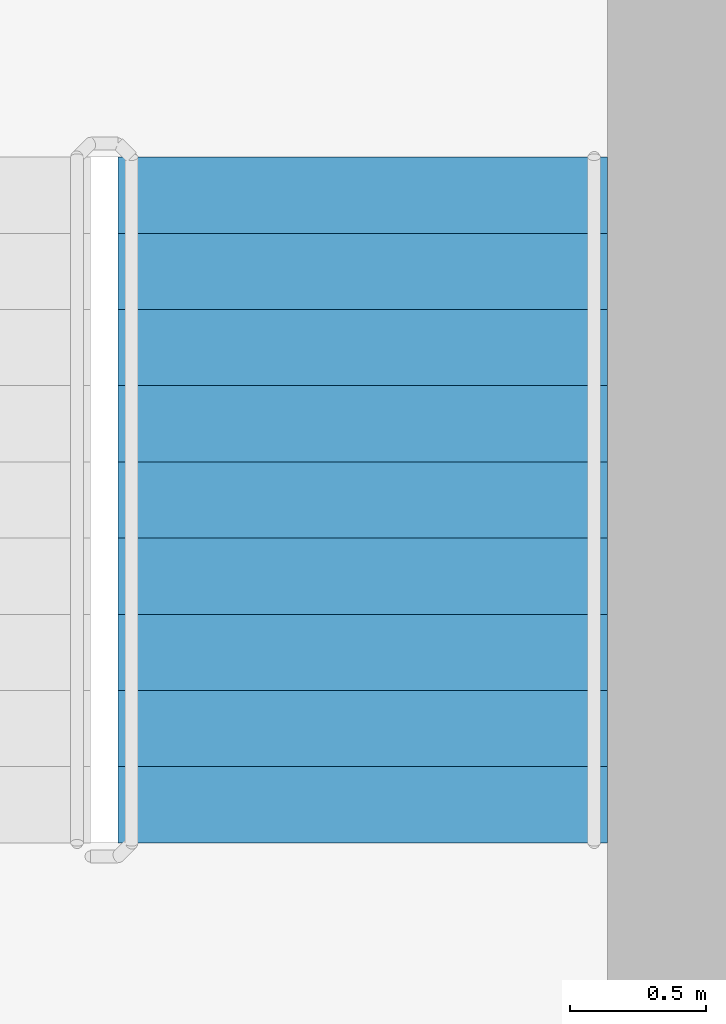
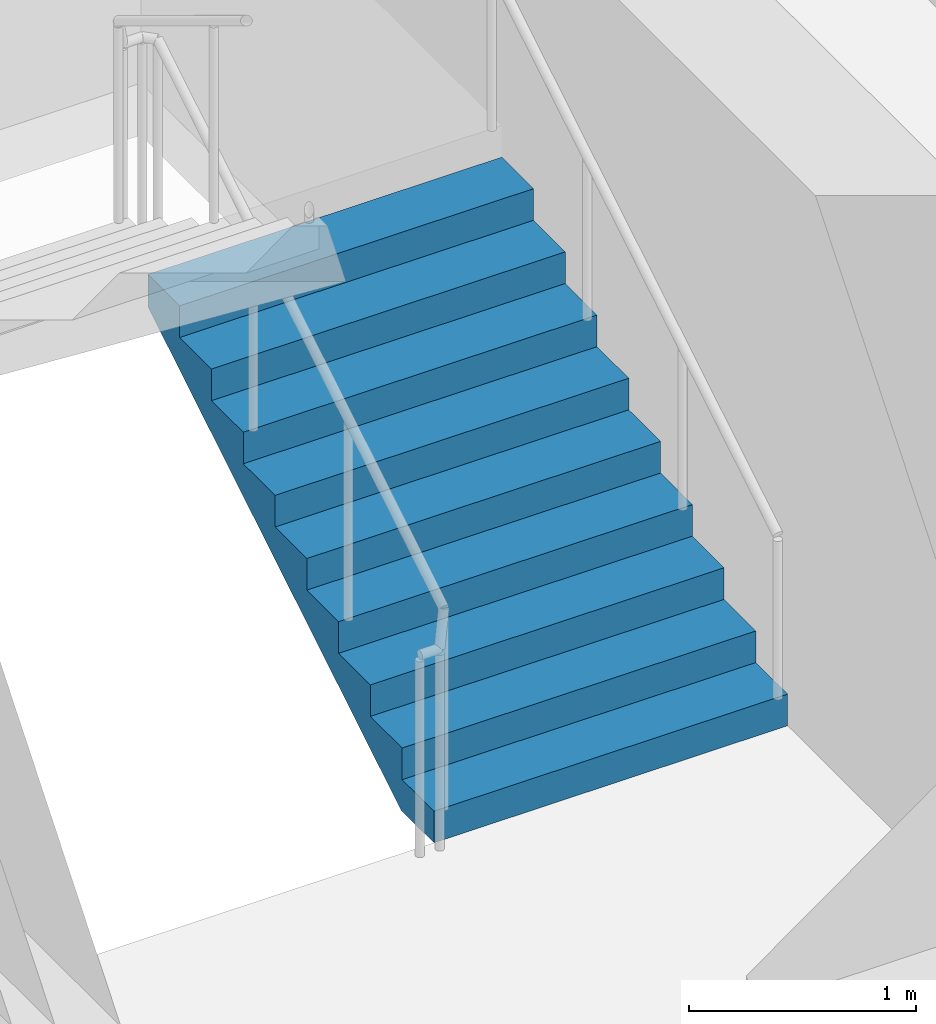
# One storey, part 10 of 13: 1 stair flight, 1 element without a shape of its own.
"""IFC4 building model written with IfcOpenShell, lengths in metres."""

from ifc_helpers import new_model, si_unit, direction, frame, origin, place, context, subcontext, project, spatial, triangles, source, transform, mapped, material, type_object, element, aggregate, save


model = new_model("IFC4")

# Units and contexts
model_context = context("Model", 3, precision=1e-05, world=origin(), true_north=direction((0.0, 1.0)))
body_context = subcontext(model_context, "Body", "Model", "MODEL_VIEW")
ifc_project = project(units=[si_unit("LENGTHUNIT", "METRE"), si_unit("AREAUNIT", "SQUARE_METRE"), si_unit("VOLUMEUNIT", "CUBIC_METRE"), si_unit("PLANEANGLEUNIT", "RADIAN"), si_unit("MASSUNIT", "GRAM", prefix="KILO")], contexts=[model_context])

# Site, building, storey
site_placement = place(None, origin())
site = spatial("IfcSite", under=ifc_project, at=site_placement, CompositionType="ELEMENT")
building_placement = place(site_placement, origin())
building = spatial("IfcBuilding", under=site, at=building_placement, Name="Kilnfold Tower and Market Hall", CompositionType="ELEMENT")
storey_placement = place(building_placement, frame((0.0, 0.0, 287.39990234375)))
storey = spatial("IfcBuildingStorey", under=building, at=storey_placement, Name="L71", CompositionType="ELEMENT", Elevation=287.39990234375)

# Stair, stair flight
ifc_material_1 = material(Name="Concrete C40/50", Category="concrete")
stair_type = type_object("IfcStairType", Name="CORE STAIR 1800", PredefinedType="HALF_TURN_STAIR", material=ifc_material_1)
stair_placement = place(storey_placement, origin())
stair = element("IfcStair", 1, at=stair_placement, inside=storey, type_object=stair_type, Name="L71 ST2", PredefinedType="HALF_TURN_STAIR")
ifc_material_2 = material(Name="Concrete C40/50", Category="concrete")
stair_flight_type = type_object("IfcStairFlightType", Name="CORE STAIR FLIGHT 1800", PredefinedType="STRAIGHT", material=ifc_material_2)
shared_shape = source(origin(), body_context, "Body", "Tessellation", [
    triangles([(0.0, 0.89990234375, 0.0), (0.0, 0.78759765625, 0.0), (0.0, 0.675048828125, 0.0), (0.0, 0.5625, 0.0), (0.0, 0.449951171875, 0.0), (0.0, 0.33740234375, 0.0), (0.0, 0.22509765625, 0.0), (0.0, 0.112548828125, 0.0), (0.0, 0.0, 0.0), (0.0, -0.112548828125, 0.0), (0.0, -0.22509765625, 0.0), (0.0, -0.33740234375, 0.0), (0.0, -0.449951171875, 0.0), (0.0, -0.5625, 0.0), (0.0, -0.675048828125, 0.0), (0.0, -0.78759765625, 0.0), (0.0, -0.89990234375, 0.0), (0.0, 0.89990234375, 0.169921875), (0.0, 0.78759765625, 0.169921875), (0.0, 0.675048828125, 0.169921875), (0.0, 0.5625, 0.169921875), (0.0, 0.449951171875, 0.169921875), (0.0, 0.33740234375, 0.169921875), (0.0, 0.22509765625, 0.169921875), (0.0, 0.112548828125, 0.169921875), (0.0, 0.0, 0.169921875), (0.0, -0.112548828125, 0.169921875), (0.0, -0.22509765625, 0.169921875), (0.0, -0.33740234375, 0.169921875), (0.0, -0.449951171875, 0.169921875), (0.0, -0.5625, 0.169921875), (0.0, -0.675048828125, 0.169921875), (0.0, -0.78759765625, 0.169921875), (0.0, -0.89990234375, 0.169921875), (0.280029296875, 0.89990234375, 0.169921875), (0.280029296875, 0.78759765625, 0.169921875), (0.280029296875, 0.675048828125, 0.169921875), (0.280029296875, 0.5625, 0.169921875), (0.280029296875, 0.449951171875, 0.169921875), (0.280029296875, 0.33740234375, 0.169921875), (0.280029296875, 0.22509765625, 0.169921875), (0.280029296875, 0.112548828125, 0.169921875), (0.280029296875, 0.0, 0.169921875), (0.280029296875, -0.112548828125, 0.169921875), (0.280029296875, -0.22509765625, 0.169921875), (0.280029296875, -0.33740234375, 0.169921875), (0.280029296875, -0.449951171875, 0.169921875), (0.280029296875, -0.5625, 0.169921875), (0.280029296875, -0.675048828125, 0.169921875), (0.280029296875, -0.78759765625, 0.169921875), (0.280029296875, -0.89990234375, 0.169921875), (0.280029296875, 0.89990234375, 0.340087890625), (0.280029296875, 0.78759765625, 0.340087890625), (0.280029296875, 0.675048828125, 0.340087890625), (0.280029296875, 0.5625, 0.340087890625), (0.280029296875, 0.449951171875, 0.340087890625), (0.280029296875, 0.33740234375, 0.340087890625), (0.280029296875, 0.22509765625, 0.340087890625), (0.280029296875, 0.112548828125, 0.340087890625), (0.280029296875, 0.0, 0.340087890625), (0.280029296875, -0.112548828125, 0.340087890625), (0.280029296875, -0.22509765625, 0.340087890625), (0.280029296875, -0.33740234375, 0.340087890625), (0.280029296875, -0.449951171875, 0.340087890625), (0.280029296875, -0.5625, 0.340087890625), (0.280029296875, -0.675048828125, 0.340087890625), (0.280029296875, -0.78759765625, 0.340087890625), (0.280029296875, -0.89990234375, 0.340087890625), (0.56005859375, 0.89990234375, 0.340087890625), (0.56005859375, 0.78759765625, 0.340087890625), (0.56005859375, 0.675048828125, 0.340087890625), (0.56005859375, 0.5625, 0.340087890625), (0.56005859375, 0.449951171875, 0.340087890625), (0.56005859375, 0.33740234375, 0.340087890625), (0.56005859375, 0.22509765625, 0.340087890625), (0.56005859375, 0.112548828125, 0.340087890625), (0.56005859375, 0.0, 0.340087890625), (0.56005859375, -0.112548828125, 0.340087890625), (0.56005859375, -0.22509765625, 0.340087890625), (0.56005859375, -0.33740234375, 0.340087890625), (0.56005859375, -0.449951171875, 0.340087890625), (0.56005859375, -0.5625, 0.340087890625), (0.56005859375, -0.675048828125, 0.340087890625), (0.56005859375, -0.78759765625, 0.340087890625), (0.56005859375, -0.89990234375, 0.340087890625), (0.56005859375, 0.89990234375, 0.510009765625), (0.56005859375, 0.78759765625, 0.510009765625), (0.56005859375, 0.675048828125, 0.510009765625), (0.56005859375, 0.5625, 0.510009765625), (0.56005859375, 0.449951171875, 0.510009765625), (0.56005859375, 0.33740234375, 0.510009765625), (0.56005859375, 0.22509765625, 0.510009765625), (0.56005859375, 0.112548828125, 0.510009765625), (0.56005859375, 0.0, 0.510009765625), (0.56005859375, -0.112548828125, 0.510009765625), (0.56005859375, -0.22509765625, 0.510009765625), (0.56005859375, -0.33740234375, 0.510009765625), (0.56005859375, -0.449951171875, 0.510009765625), (0.56005859375, -0.5625, 0.510009765625), (0.56005859375, -0.675048828125, 0.510009765625), (0.56005859375, -0.78759765625, 0.510009765625), (0.56005859375, -0.89990234375, 0.510009765625), (0.840087890625, 0.89990234375, 0.510009765625), (0.840087890625, 0.78759765625, 0.510009765625), (0.840087890625, 0.675048828125, 0.510009765625), (0.840087890625, 0.5625, 0.510009765625), (0.840087890625, 0.449951171875, 0.510009765625), (0.840087890625, 0.33740234375, 0.510009765625), (0.840087890625, 0.22509765625, 0.510009765625), (0.840087890625, 0.112548828125, 0.510009765625), (0.840087890625, 0.0, 0.510009765625), (0.840087890625, -0.112548828125, 0.510009765625), (0.840087890625, -0.22509765625, 0.510009765625), (0.840087890625, -0.33740234375, 0.510009765625), (0.840087890625, -0.449951171875, 0.510009765625), (0.840087890625, -0.5625, 0.510009765625), (0.840087890625, -0.675048828125, 0.510009765625), (0.840087890625, -0.78759765625, 0.510009765625), (0.840087890625, -0.89990234375, 0.510009765625), (0.840087890625, 0.89990234375, 0.679931640625), (0.840087890625, 0.78759765625, 0.679931640625), (0.840087890625, 0.675048828125, 0.679931640625), (0.840087890625, 0.5625, 0.679931640625), (0.840087890625, 0.449951171875, 0.679931640625), (0.840087890625, 0.33740234375, 0.679931640625), (0.840087890625, 0.22509765625, 0.679931640625), (0.840087890625, 0.112548828125, 0.679931640625), (0.840087890625, 0.0, 0.679931640625), (0.840087890625, -0.112548828125, 0.679931640625), (0.840087890625, -0.22509765625, 0.679931640625), (0.840087890625, -0.33740234375, 0.679931640625), (0.840087890625, -0.449951171875, 0.679931640625), (0.840087890625, -0.5625, 0.679931640625), (0.840087890625, -0.675048828125, 0.679931640625), (0.840087890625, -0.78759765625, 0.679931640625), (0.840087890625, -0.89990234375, 0.679931640625), (1.1201171875, 0.89990234375, 0.679931640625), (1.1201171875, 0.78759765625, 0.679931640625), (1.1201171875, 0.675048828125, 0.679931640625), (1.1201171875, 0.5625, 0.679931640625), (1.1201171875, 0.449951171875, 0.679931640625), (1.1201171875, 0.33740234375, 0.679931640625), (1.1201171875, 0.22509765625, 0.679931640625), (1.1201171875, 0.112548828125, 0.679931640625), (1.1201171875, 0.0, 0.679931640625), (1.1201171875, -0.112548828125, 0.679931640625), (1.1201171875, -0.22509765625, 0.679931640625), (1.1201171875, -0.33740234375, 0.679931640625), (1.1201171875, -0.449951171875, 0.679931640625), (1.1201171875, -0.5625, 0.679931640625), (1.1201171875, -0.675048828125, 0.679931640625), (1.1201171875, -0.78759765625, 0.679931640625), (1.1201171875, -0.89990234375, 0.679931640625), (1.1201171875, 0.89990234375, 0.85009765625), (1.1201171875, 0.78759765625, 0.85009765625), (1.1201171875, 0.675048828125, 0.85009765625), (1.1201171875, 0.5625, 0.85009765625), (1.1201171875, 0.449951171875, 0.85009765625), (1.1201171875, 0.33740234375, 0.85009765625), (1.1201171875, 0.22509765625, 0.85009765625), (1.1201171875, 0.112548828125, 0.85009765625), (1.1201171875, 0.0, 0.85009765625), (1.1201171875, -0.112548828125, 0.85009765625), (1.1201171875, -0.22509765625, 0.85009765625), (1.1201171875, -0.33740234375, 0.85009765625), (1.1201171875, -0.449951171875, 0.85009765625), (1.1201171875, -0.5625, 0.85009765625), (1.1201171875, -0.675048828125, 0.85009765625), (1.1201171875, -0.78759765625, 0.85009765625), (1.1201171875, -0.89990234375, 0.85009765625), (1.39990234375, 0.89990234375, 0.85009765625), (1.39990234375, 0.78759765625, 0.85009765625), (1.39990234375, 0.675048828125, 0.85009765625), (1.39990234375, 0.5625, 0.85009765625), (1.39990234375, 0.449951171875, 0.85009765625), (1.39990234375, 0.33740234375, 0.85009765625), (1.39990234375, 0.22509765625, 0.85009765625), (1.39990234375, 0.112548828125, 0.85009765625), (1.39990234375, 0.0, 0.85009765625), (1.39990234375, -0.112548828125, 0.85009765625), (1.39990234375, -0.22509765625, 0.85009765625), (1.39990234375, -0.33740234375, 0.85009765625), (1.39990234375, -0.449951171875, 0.85009765625), (1.39990234375, -0.5625, 0.85009765625), (1.39990234375, -0.675048828125, 0.85009765625), (1.39990234375, -0.78759765625, 0.85009765625), (1.39990234375, -0.89990234375, 0.85009765625), (1.39990234375, 0.89990234375, 1.02001953125), (1.39990234375, 0.78759765625, 1.02001953125), (1.39990234375, 0.675048828125, 1.02001953125), (1.39990234375, 0.5625, 1.02001953125), (1.39990234375, 0.449951171875, 1.02001953125), (1.39990234375, 0.33740234375, 1.02001953125), (1.39990234375, 0.22509765625, 1.02001953125), (1.39990234375, 0.112548828125, 1.02001953125), (1.39990234375, 0.0, 1.02001953125), (1.39990234375, -0.112548828125, 1.02001953125), (1.39990234375, -0.22509765625, 1.02001953125), (1.39990234375, -0.33740234375, 1.02001953125), (1.39990234375, -0.449951171875, 1.02001953125), (1.39990234375, -0.5625, 1.02001953125), (1.39990234375, -0.675048828125, 1.02001953125), (1.39990234375, -0.78759765625, 1.02001953125), (1.39990234375, -0.89990234375, 1.02001953125), (1.679931640625, 0.89990234375, 1.02001953125), (1.679931640625, 0.78759765625, 1.02001953125), (1.679931640625, 0.675048828125, 1.02001953125), (1.679931640625, 0.5625, 1.02001953125), (1.679931640625, 0.449951171875, 1.02001953125), (1.679931640625, 0.33740234375, 1.02001953125), (1.679931640625, 0.22509765625, 1.02001953125), (1.679931640625, 0.112548828125, 1.02001953125), (1.679931640625, 0.0, 1.02001953125), (1.679931640625, -0.112548828125, 1.02001953125), (1.679931640625, -0.22509765625, 1.02001953125), (1.679931640625, -0.33740234375, 1.02001953125), (1.679931640625, -0.449951171875, 1.02001953125), (1.679931640625, -0.5625, 1.02001953125), (1.679931640625, -0.675048828125, 1.02001953125), (1.679931640625, -0.78759765625, 1.02001953125), (1.679931640625, -0.89990234375, 1.02001953125), (1.679931640625, 0.89990234375, 1.18994140625), (1.679931640625, 0.78759765625, 1.18994140625), (1.679931640625, 0.675048828125, 1.18994140625), (1.679931640625, 0.5625, 1.18994140625), (1.679931640625, 0.449951171875, 1.18994140625), (1.679931640625, 0.33740234375, 1.18994140625), (1.679931640625, 0.22509765625, 1.18994140625), (1.679931640625, 0.112548828125, 1.18994140625), (1.679931640625, 0.0, 1.18994140625), (1.679931640625, -0.112548828125, 1.18994140625), (1.679931640625, -0.22509765625, 1.18994140625), (1.679931640625, -0.33740234375, 1.18994140625), (1.679931640625, -0.449951171875, 1.18994140625), (1.679931640625, -0.5625, 1.18994140625), (1.679931640625, -0.675048828125, 1.18994140625), (1.679931640625, -0.78759765625, 1.18994140625), (1.679931640625, -0.89990234375, 1.18994140625), (1.9599609375, 0.89990234375, 1.18994140625), (1.9599609375, 0.78759765625, 1.18994140625), (1.9599609375, 0.675048828125, 1.18994140625), (1.9599609375, 0.5625, 1.18994140625), (1.9599609375, 0.449951171875, 1.18994140625), (1.9599609375, 0.33740234375, 1.18994140625), (1.9599609375, 0.22509765625, 1.18994140625), (1.9599609375, 0.112548828125, 1.18994140625), (1.9599609375, 0.0, 1.18994140625), (1.9599609375, -0.112548828125, 1.18994140625), (1.9599609375, -0.22509765625, 1.18994140625), (1.9599609375, -0.33740234375, 1.18994140625), (1.9599609375, -0.449951171875, 1.18994140625), (1.9599609375, -0.5625, 1.18994140625), (1.9599609375, -0.675048828125, 1.18994140625), (1.9599609375, -0.78759765625, 1.18994140625), (1.9599609375, -0.89990234375, 1.18994140625), (1.9599609375, 0.89990234375, 1.360107421875), (1.9599609375, 0.78759765625, 1.360107421875), (1.9599609375, 0.675048828125, 1.360107421875), (1.9599609375, 0.5625, 1.360107421875), (1.9599609375, 0.449951171875, 1.360107421875), (1.9599609375, 0.33740234375, 1.360107421875), (1.9599609375, 0.22509765625, 1.360107421875), (1.9599609375, 0.112548828125, 1.360107421875), (1.9599609375, 0.0, 1.360107421875), (1.9599609375, -0.112548828125, 1.360107421875), (1.9599609375, -0.22509765625, 1.360107421875), (1.9599609375, -0.33740234375, 1.360107421875), (1.9599609375, -0.449951171875, 1.360107421875), (1.9599609375, -0.5625, 1.360107421875), (1.9599609375, -0.675048828125, 1.360107421875), (1.9599609375, -0.78759765625, 1.360107421875), (1.9599609375, -0.89990234375, 1.360107421875), (2.239990234375, 0.89990234375, 1.360107421875), (2.239990234375, 0.78759765625, 1.360107421875), (2.239990234375, 0.675048828125, 1.360107421875), (2.239990234375, 0.5625, 1.360107421875), (2.239990234375, 0.449951171875, 1.360107421875), (2.239990234375, 0.33740234375, 1.360107421875), (2.239990234375, 0.22509765625, 1.360107421875), (2.239990234375, 0.112548828125, 1.360107421875), (2.239990234375, 0.0, 1.360107421875), (2.239990234375, -0.112548828125, 1.360107421875), (2.239990234375, -0.22509765625, 1.360107421875), (2.239990234375, -0.33740234375, 1.360107421875), (2.239990234375, -0.449951171875, 1.360107421875), (2.239990234375, -0.5625, 1.360107421875), (2.239990234375, -0.675048828125, 1.360107421875), (2.239990234375, -0.78759765625, 1.360107421875), (2.239990234375, -0.89990234375, 1.360107421875), (2.239990234375, 0.89990234375, 1.530029296875), (2.239990234375, 0.78759765625, 1.530029296875), (2.239990234375, 0.675048828125, 1.530029296875), (2.239990234375, 0.5625, 1.530029296875), (2.239990234375, 0.449951171875, 1.530029296875), (2.239990234375, 0.33740234375, 1.530029296875), (2.239990234375, 0.22509765625, 1.530029296875), (2.239990234375, 0.112548828125, 1.530029296875), (2.239990234375, 0.0, 1.530029296875), (2.239990234375, -0.112548828125, 1.530029296875), (2.239990234375, -0.22509765625, 1.530029296875), (2.239990234375, -0.33740234375, 1.530029296875), (2.239990234375, -0.449951171875, 1.530029296875), (2.239990234375, -0.5625, 1.530029296875), (2.239990234375, -0.675048828125, 1.530029296875), (2.239990234375, -0.78759765625, 1.530029296875), (2.239990234375, -0.89990234375, 1.530029296875), (2.52001953125, 0.89990234375, 1.530029296875), (2.52001953125, 0.78759765625, 1.530029296875), (2.52001953125, 0.675048828125, 1.530029296875), (2.52001953125, 0.5625, 1.530029296875), (2.52001953125, 0.449951171875, 1.530029296875), (2.52001953125, 0.33740234375, 1.530029296875), (2.52001953125, 0.22509765625, 1.530029296875), (2.52001953125, 0.112548828125, 1.530029296875), (2.52001953125, 0.0, 1.530029296875), (2.52001953125, -0.112548828125, 1.530029296875), (2.52001953125, -0.22509765625, 1.530029296875), (2.52001953125, -0.33740234375, 1.530029296875), (2.52001953125, -0.449951171875, 1.530029296875), (2.52001953125, -0.5625, 1.530029296875), (2.52001953125, -0.675048828125, 1.530029296875), (2.52001953125, -0.78759765625, 1.530029296875), (2.52001953125, -0.89990234375, 1.530029296875), (2.52001953125, 0.89990234375, 1.354736328125), (2.52001953125, 0.78759765625, 1.354736328125), (2.52001953125, 0.675048828125, 1.354736328125), (2.52001953125, 0.5625, 1.354736328125), (2.52001953125, 0.449951171875, 1.354736328125), (2.52001953125, 0.33740234375, 1.354736328125), (2.52001953125, 0.22509765625, 1.354736328125), (2.52001953125, 0.112548828125, 1.354736328125), (2.52001953125, 0.0, 1.354736328125), (2.52001953125, -0.112548828125, 1.354736328125), (2.52001953125, -0.22509765625, 1.354736328125), (2.52001953125, -0.33740234375, 1.354736328125), (2.52001953125, -0.449951171875, 1.354736328125), (2.52001953125, -0.5625, 1.354736328125), (2.52001953125, -0.675048828125, 1.354736328125), (2.52001953125, -0.78759765625, 1.354736328125), (2.52001953125, -0.89990234375, 1.354736328125), (0.288818359375, 0.89990234375, 0.0), (0.288818359375, 0.78759765625, 0.0), (0.288818359375, 0.675048828125, 0.0), (0.288818359375, 0.5625, 0.0), (0.288818359375, 0.449951171875, 0.0), (0.288818359375, 0.33740234375, 0.0), (0.288818359375, 0.22509765625, 0.0), (0.288818359375, 0.112548828125, 0.0), (0.288818359375, 0.0, 0.0), (0.288818359375, -0.112548828125, 0.0), (0.288818359375, -0.22509765625, 0.0), (0.288818359375, -0.33740234375, 0.0), (0.288818359375, -0.449951171875, 0.0), (0.288818359375, -0.5625, 0.0), (0.288818359375, -0.675048828125, 0.0), (0.288818359375, -0.78759765625, 0.0), (0.288818359375, -0.89990234375, 0.0)], [[1, 324, 341], [17, 357, 340], [324, 290, 307], [340, 323, 306], [324, 273, 290], [340, 306, 289], [324, 256, 273], [340, 289, 272], [324, 239, 256], [340, 272, 255], [239, 205, 222], [255, 238, 221], [324, 205, 239], [340, 255, 221], [205, 171, 188], [221, 204, 187], [324, 171, 205], [340, 221, 187], [171, 137, 154], [187, 170, 153], [324, 137, 171], [340, 187, 153], [137, 103, 120], [153, 136, 119], [324, 103, 137], [340, 153, 119], [103, 69, 86], [119, 102, 85], [324, 69, 103], [340, 119, 85], [69, 35, 52], [85, 68, 51], [324, 35, 69], [340, 85, 51], [1, 35, 324], [17, 340, 51], [35, 1, 18], [51, 34, 17], [1, 19, 18], [1, 2, 19], [2, 20, 19], [2, 3, 20], [3, 21, 20], [3, 4, 21], [4, 22, 21], [4, 5, 22], [5, 23, 22], [5, 6, 23], [6, 24, 23], [6, 7, 24], [7, 25, 24], [7, 8, 25], [8, 26, 25], [8, 9, 26], [9, 27, 26], [9, 10, 27], [10, 28, 27], [10, 11, 28], [11, 29, 28], [11, 12, 29], [12, 30, 29], [12, 13, 30], [13, 31, 30], [13, 14, 31], [14, 32, 31], [14, 15, 32], [15, 33, 32], [15, 16, 33], [16, 34, 33], [16, 17, 34], [18, 36, 35], [18, 19, 36], [19, 37, 36], [19, 20, 37], [20, 38, 37], [20, 21, 38], [21, 39, 38], [21, 22, 39], [22, 40, 39], [22, 23, 40], [23, 41, 40], [23, 24, 41], [24, 42, 41], [24, 25, 42], [25, 43, 42], [25, 26, 43], [26, 44, 43], [26, 27, 44], [27, 45, 44], [27, 28, 45], [28, 46, 45], [28, 29, 46], [29, 47, 46], [29, 30, 47], [30, 48, 47], [30, 31, 48], [31, 49, 48], [31, 32, 49], [32, 50, 49], [32, 33, 50], [33, 51, 50], [33, 34, 51], [35, 53, 52], [35, 36, 53], [36, 54, 53], [36, 37, 54], [37, 55, 54], [37, 38, 55], [38, 56, 55], [38, 39, 56], [39, 57, 56], [39, 40, 57], [40, 58, 57], [40, 41, 58], [41, 59, 58], [41, 42, 59], [42, 60, 59], [42, 43, 60], [43, 61, 60], [43, 44, 61], [44, 62, 61], [44, 45, 62], [45, 63, 62], [45, 46, 63], [46, 64, 63], [46, 47, 64], [47, 65, 64], [47, 48, 65], [48, 66, 65], [48, 49, 66], [49, 67, 66], [49, 50, 67], [50, 68, 67], [50, 51, 68], [52, 70, 69], [52, 53, 70], [53, 71, 70], [53, 54, 71], [54, 72, 71], [54, 55, 72], [55, 73, 72], [55, 56, 73], [56, 74, 73], [56, 57, 74], [57, 75, 74], [57, 58, 75], [58, 76, 75], [58, 59, 76], [59, 77, 76], [59, 60, 77], [60, 78, 77], [60, 61, 78], [61, 79, 78], [61, 62, 79], [62, 80, 79], [62, 63, 80], [63, 81, 80], [63, 64, 81], [64, 82, 81], [64, 65, 82], [65, 83, 82], [65, 66, 83], [66, 84, 83], [66, 67, 84], [67, 85, 84], [67, 68, 85], [69, 87, 86], [69, 70, 87], [70, 88, 87], [70, 71, 88], [71, 89, 88], [71, 72, 89], [72, 90, 89], [72, 73, 90], [73, 91, 90], [73, 74, 91], [74, 92, 91], [74, 75, 92], [75, 93, 92], [75, 76, 93], [76, 94, 93], [76, 77, 94], [77, 95, 94], [77, 78, 95], [78, 96, 95], [78, 79, 96], [79, 97, 96], [79, 80, 97], [80, 98, 97], [80, 81, 98], [81, 99, 98], [81, 82, 99], [82, 100, 99], [82, 83, 100], [83, 101, 100], [83, 84, 101], [84, 102, 101], [84, 85, 102], [86, 104, 103], [86, 87, 104], [87, 105, 104], [87, 88, 105], [88, 106, 105], [88, 89, 106], [89, 107, 106], [89, 90, 107], [90, 108, 107], [90, 91, 108], [91, 109, 108], [91, 92, 109], [92, 110, 109], [92, 93, 110], [93, 111, 110], [93, 94, 111], [94, 112, 111], [94, 95, 112], [95, 113, 112], [95, 96, 113], [96, 114, 113], [96, 97, 114], [97, 115, 114], [97, 98, 115], [98, 116, 115], [98, 99, 116], [99, 117, 116], [99, 100, 117], [100, 118, 117], [100, 101, 118], [101, 119, 118], [101, 102, 119], [103, 121, 120], [103, 104, 121], [104, 122, 121], [104, 105, 122], [105, 123, 122], [105, 106, 123], [106, 124, 123], [106, 107, 124], [107, 125, 124], [107, 108, 125], [108, 126, 125], [108, 109, 126], [109, 127, 126], [109, 110, 127], [110, 128, 127], [110, 111, 128], [111, 129, 128], [111, 112, 129], [112, 130, 129], [112, 113, 130], [113, 131, 130], [113, 114, 131], [114, 132, 131], [114, 115, 132], [115, 133, 132], [115, 116, 133], [116, 134, 133], [116, 117, 134], [117, 135, 134], [117, 118, 135], [118, 136, 135], [118, 119, 136], [120, 138, 137], [120, 121, 138], [121, 139, 138], [121, 122, 139], [122, 140, 139], [122, 123, 140], [123, 141, 140], [123, 124, 141], [124, 142, 141], [124, 125, 142], [125, 143, 142], [125, 126, 143], [126, 144, 143], [126, 127, 144], [127, 145, 144], [127, 128, 145], [128, 146, 145], [128, 129, 146], [129, 147, 146], [129, 130, 147], [130, 148, 147], [130, 131, 148], [131, 149, 148], [131, 132, 149], [132, 150, 149], [132, 133, 150], [133, 151, 150], [133, 134, 151], [134, 152, 151], [134, 135, 152], [135, 153, 152], [135, 136, 153], [137, 155, 154], [137, 138, 155], [138, 156, 155], [138, 139, 156], [139, 157, 156], [139, 140, 157], [140, 158, 157], [140, 141, 158], [141, 159, 158], [141, 142, 159], [142, 160, 159], [142, 143, 160], [143, 161, 160], [143, 144, 161], [144, 162, 161], [144, 145, 162], [145, 163, 162], [145, 146, 163], [146, 164, 163], [146, 147, 164], [147, 165, 164], [147, 148, 165], [148, 166, 165], [148, 149, 166], [149, 167, 166], [149, 150, 167], [150, 168, 167], [150, 151, 168], [151, 169, 168], [151, 152, 169], [152, 170, 169], [152, 153, 170], [154, 172, 171], [154, 155, 172], [155, 173, 172], [155, 156, 173], [156, 174, 173], [156, 157, 174], [157, 175, 174], [157, 158, 175], [158, 176, 175], [158, 159, 176], [159, 177, 176], [159, 160, 177], [160, 178, 177], [160, 161, 178], [161, 179, 178], [161, 162, 179], [162, 180, 179], [162, 163, 180], [163, 181, 180], [163, 164, 181], [164, 182, 181], [164, 165, 182], [165, 183, 182], [165, 166, 183], [166, 184, 183], [166, 167, 184], [167, 185, 184], [167, 168, 185], [168, 186, 185], [168, 169, 186], [169, 187, 186], [169, 170, 187], [171, 189, 188], [171, 172, 189], [172, 190, 189], [172, 173, 190], [173, 191, 190], [173, 174, 191], [174, 192, 191], [174, 175, 192], [175, 193, 192], [175, 176, 193], [176, 194, 193], [176, 177, 194], [177, 195, 194], [177, 178, 195], [178, 196, 195], [178, 179, 196], [179, 197, 196], [179, 180, 197], [180, 198, 197], [180, 181, 198], [181, 199, 198], [181, 182, 199], [182, 200, 199], [182, 183, 200], [183, 201, 200], [183, 184, 201], [184, 202, 201], [184, 185, 202], [185, 203, 202], [185, 186, 203], [186, 204, 203], [186, 187, 204], [188, 206, 205], [188, 189, 206], [189, 207, 206], [189, 190, 207], [190, 208, 207], [190, 191, 208], [191, 209, 208], [191, 192, 209], [192, 210, 209], [192, 193, 210], [193, 211, 210], [193, 194, 211], [194, 212, 211], [194, 195, 212], [195, 213, 212], [195, 196, 213], [196, 214, 213], [196, 197, 214], [197, 215, 214], [197, 198, 215], [198, 216, 215], [198, 199, 216], [199, 217, 216], [199, 200, 217], [200, 218, 217], [200, 201, 218], [201, 219, 218], [201, 202, 219], [202, 220, 219], [202, 203, 220], [203, 221, 220], [203, 204, 221], [205, 223, 222], [205, 206, 223], [206, 224, 223], [206, 207, 224], [207, 225, 224], [207, 208, 225], [208, 226, 225], [208, 209, 226], [209, 227, 226], [209, 210, 227], [210, 228, 227], [210, 211, 228], [211, 229, 228], [211, 212, 229], [212, 230, 229], [212, 213, 230], [213, 231, 230], [213, 214, 231], [214, 232, 231], [214, 215, 232], [215, 233, 232], [215, 216, 233], [216, 234, 233], [216, 217, 234], [217, 235, 234], [217, 218, 235], [218, 236, 235], [218, 219, 236], [219, 237, 236], [219, 220, 237], [220, 238, 237], [220, 221, 238], [222, 240, 239], [222, 223, 240], [223, 241, 240], [223, 224, 241], [224, 242, 241], [224, 225, 242], [225, 243, 242], [225, 226, 243], [226, 244, 243], [226, 227, 244], [227, 245, 244], [227, 228, 245], [228, 246, 245], [228, 229, 246], [229, 247, 246], [229, 230, 247], [230, 248, 247], [230, 231, 248], [231, 249, 248], [231, 232, 249], [232, 250, 249], [232, 233, 250], [233, 251, 250], [233, 234, 251], [234, 252, 251], [234, 235, 252], [235, 253, 252], [235, 236, 253], [236, 254, 253], [236, 237, 254], [237, 255, 254], [237, 238, 255], [239, 257, 256], [239, 240, 257], [240, 258, 257], [240, 241, 258], [241, 259, 258], [241, 242, 259], [242, 260, 259], [242, 243, 260], [243, 261, 260], [243, 244, 261], [244, 262, 261], [244, 245, 262], [245, 263, 262], [245, 246, 263], [246, 264, 263], [246, 247, 264], [247, 265, 264], [247, 248, 265], [248, 266, 265], [248, 249, 266], [249, 267, 266], [249, 250, 267], [250, 268, 267], [250, 251, 268], [251, 269, 268], [251, 252, 269], [252, 270, 269], [252, 253, 270], [253, 271, 270], [253, 254, 271], [254, 272, 271], [254, 255, 272], [256, 274, 273], [256, 257, 274], [257, 275, 274], [257, 258, 275], [258, 276, 275], [258, 259, 276], [259, 277, 276], [259, 260, 277], [260, 278, 277], [260, 261, 278], [261, 279, 278], [261, 262, 279], [262, 280, 279], [262, 263, 280], [263, 281, 280], [263, 264, 281], [264, 282, 281], [264, 265, 282], [265, 283, 282], [265, 266, 283], [266, 284, 283], [266, 267, 284], [267, 285, 284], [267, 268, 285], [268, 286, 285], [268, 269, 286], [269, 287, 286], [269, 270, 287], [270, 288, 287], [270, 271, 288], [271, 289, 288], [271, 272, 289], [273, 291, 290], [273, 274, 291], [274, 292, 291], [274, 275, 292], [275, 293, 292], [275, 276, 293], [276, 294, 293], [276, 277, 294], [277, 295, 294], [277, 278, 295], [278, 296, 295], [278, 279, 296], [279, 297, 296], [279, 280, 297], [280, 298, 297], [280, 281, 298], [281, 299, 298], [281, 282, 299], [282, 300, 299], [282, 283, 300], [283, 301, 300], [283, 284, 301], [284, 302, 301], [284, 285, 302], [285, 303, 302], [285, 286, 303], [286, 304, 303], [286, 287, 304], [287, 305, 304], [287, 288, 305], [288, 306, 305], [288, 289, 306], [290, 308, 307], [290, 291, 308], [291, 309, 308], [291, 292, 309], [292, 310, 309], [292, 293, 310], [293, 311, 310], [293, 294, 311], [294, 312, 311], [294, 295, 312], [295, 313, 312], [295, 296, 313], [296, 314, 313], [296, 297, 314], [297, 315, 314], [297, 298, 315], [298, 316, 315], [298, 299, 316], [299, 317, 316], [299, 300, 317], [300, 318, 317], [300, 301, 318], [301, 319, 318], [301, 302, 319], [302, 320, 319], [302, 303, 320], [303, 321, 320], [303, 304, 321], [304, 322, 321], [304, 305, 322], [305, 323, 322], [305, 306, 323], [307, 325, 324], [307, 308, 325], [308, 326, 325], [308, 309, 326], [309, 327, 326], [309, 310, 327], [310, 328, 327], [310, 311, 328], [311, 329, 328], [311, 312, 329], [312, 330, 329], [312, 313, 330], [313, 331, 330], [313, 314, 331], [314, 332, 331], [314, 315, 332], [315, 333, 332], [315, 316, 333], [316, 334, 333], [316, 317, 334], [317, 335, 334], [317, 318, 335], [318, 336, 335], [318, 319, 336], [319, 337, 336], [319, 320, 337], [320, 338, 337], [320, 321, 338], [321, 339, 338], [321, 322, 339], [322, 340, 339], [322, 323, 340], [324, 342, 341], [324, 325, 342], [325, 343, 342], [325, 326, 343], [326, 344, 343], [326, 327, 344], [327, 345, 344], [327, 328, 345], [328, 346, 345], [328, 329, 346], [329, 347, 346], [329, 330, 347], [330, 348, 347], [330, 331, 348], [331, 349, 348], [331, 332, 349], [332, 350, 349], [332, 333, 350], [333, 351, 350], [333, 334, 351], [334, 352, 351], [334, 335, 352], [335, 353, 352], [335, 336, 353], [336, 354, 353], [336, 337, 354], [337, 355, 354], [337, 338, 355], [338, 356, 355], [338, 339, 356], [339, 357, 356], [339, 340, 357], [341, 2, 1], [341, 342, 2], [342, 3, 2], [342, 343, 3], [343, 4, 3], [343, 344, 4], [344, 5, 4], [344, 345, 5], [345, 6, 5], [345, 346, 6], [346, 7, 6], [346, 347, 7], [347, 8, 7], [347, 348, 8], [348, 9, 8], [348, 349, 9], [349, 10, 9], [349, 350, 10], [350, 11, 10], [350, 351, 11], [351, 12, 11], [351, 352, 12], [352, 13, 12], [352, 353, 13], [353, 14, 13], [353, 354, 14], [354, 15, 14], [354, 355, 15], [355, 16, 15], [355, 356, 16], [356, 17, 16], [356, 357, 17]], closed=True),
])
stair_flight_placement = place(storey_placement, frame((16.199951171875, 10.800048828125, 0.0), z_axis=(0.0, 0.0, 1.0), x_axis=(0.0, 1.0, 0.0)))
stair_flight = element("IfcStairFlight", 2, at=stair_flight_placement, type_object=stair_flight_type, Name="ST2 flight 1", NumberOfRisers=10, NumberOfTreads=9, PredefinedType="STRAIGHT", RiserHeight=0.17, TreadLength=0.28, context=body_context, shape_type="MappedRepresentation", body=[
    mapped(shared_shape, transform((0.0, 0.0, 0.0))),
])
aggregate(stair, [stair_flight])

save(model, "model.ifc")
